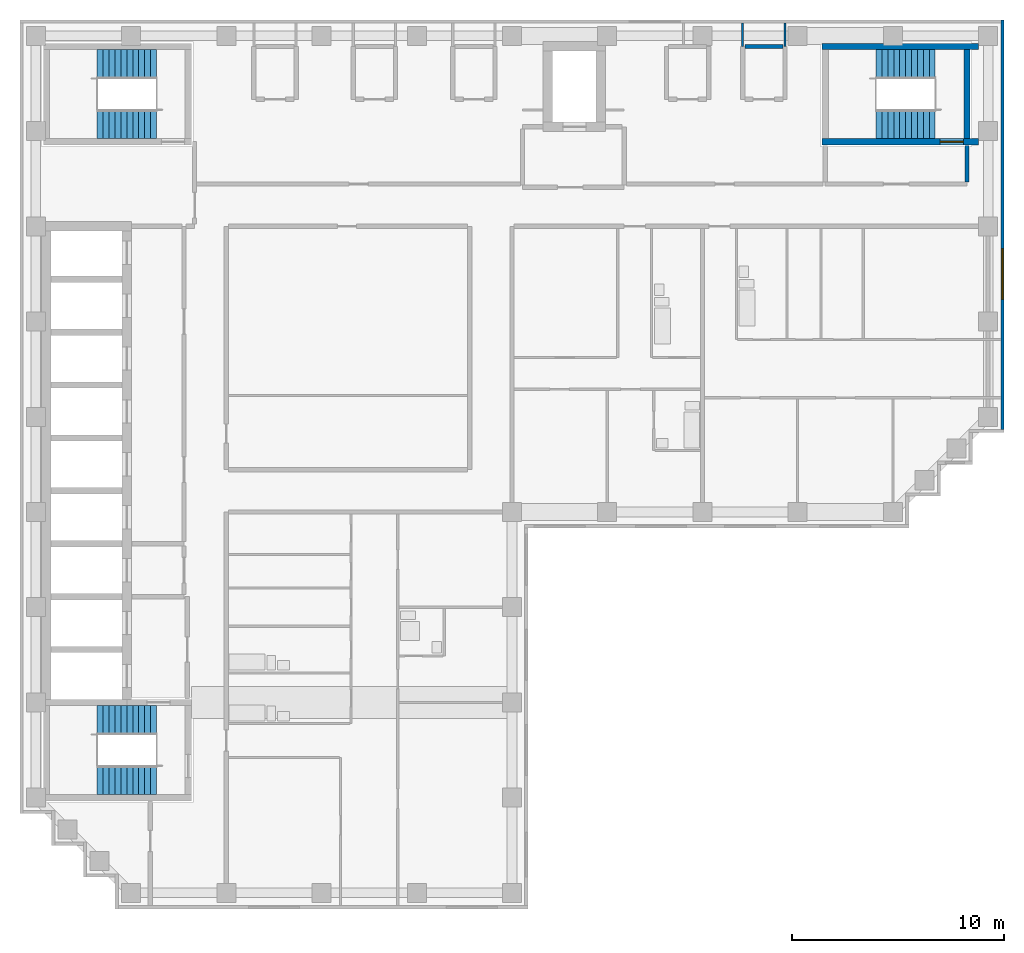
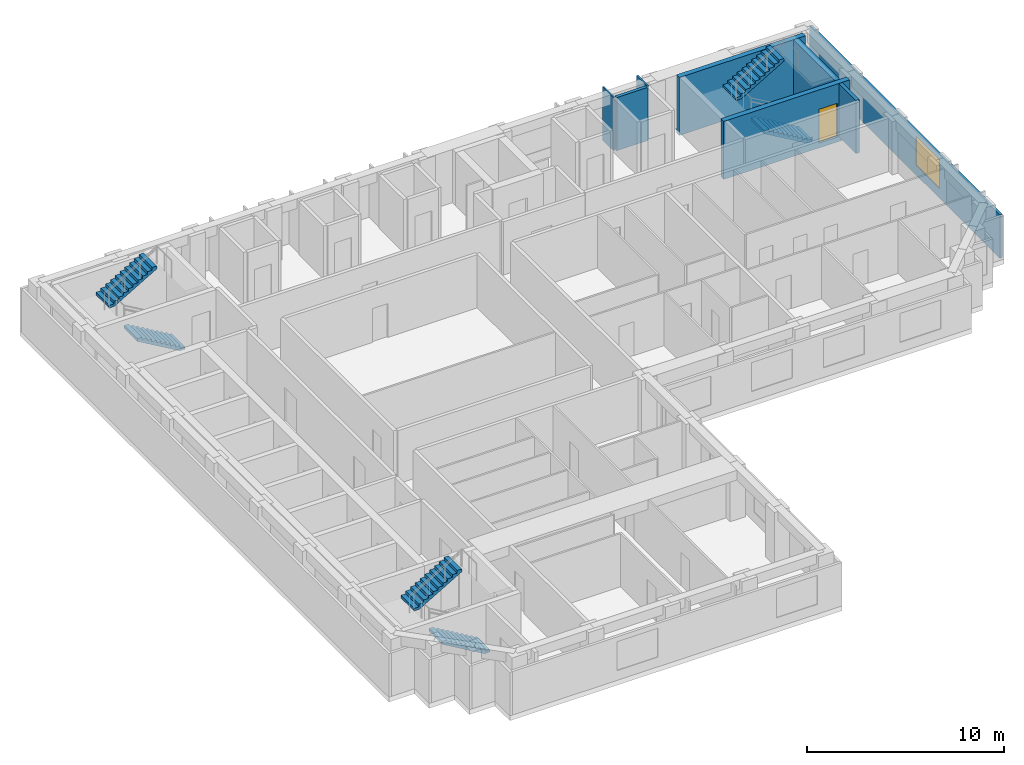
# One storey, part 6 of 8: 8 walls, 6 stair flights, 1 door, 1 window, 2 openings, 3 elements without a shape of their own.
"""IFC4 building model written with IfcOpenShell, lengths in metres."""

from ifc_helpers import new_model, si_unit, direction, frame, frame_2d, origin, place, context, subcontext, project, spatial, polyline, rectangle, outline, extrude, material, layer, layer_set, type_object, element, fill, aggregate, save


model = new_model("IFC4")

# Units and contexts
model_context = context("Model", 3, precision=1e-05, world=origin(), true_north=direction((0.0, 1.0)))
body_context = subcontext(model_context, "Body", "Model", "MODEL_VIEW")
ifc_project = project(units=[si_unit("LENGTHUNIT", "METRE"), si_unit("AREAUNIT", "SQUARE_METRE"), si_unit("VOLUMEUNIT", "CUBIC_METRE"), si_unit("PLANEANGLEUNIT", "RADIAN"), si_unit("MASSUNIT", "GRAM", prefix="KILO")], contexts=[model_context])

# Site, building, storey
site_placement = place(None, origin())
site = spatial("IfcSite", under=ifc_project, at=site_placement, CompositionType="ELEMENT")
building_placement = place(site_placement, origin())
building = spatial("IfcBuilding", under=site, at=building_placement, Name="Firuza Court", CompositionType="ELEMENT")
storey_placement = place(building_placement, frame((0.0, 0.0, 236.60009765625)))
storey = spatial("IfcBuildingStorey", under=building, at=storey_placement, Name="L61", CompositionType="ELEMENT", Elevation=236.60009765625)

# Wall, opening, door
ifc_material_1 = material(Name="Concrete C50/60", Category="concrete")
ifc_layer_1 = layer(ifc_material_1, 0.300048828125)
ifc_layer_set_1 = layer_set([ifc_layer_1], Name="Concrete C50/60")
wall_type_1 = type_object("IfcWallType", Name="Core wall 300 C50/60", PredefinedType="SHEAR", material=ifc_layer_set_1)
wall_1_placement = place(storey_placement, frame((37.14990234375, 53.5, -0.300048828125), z_axis=(0.0, 0.0, 1.0), x_axis=(1.0, 0.0, 0.0)))
wall_1 = element("IfcWall", 1, at=wall_1_placement, inside=storey, type_object=wall_type_1, Name="Core wall stair L61", PredefinedType="SHEAR", context=body_context, shape_type="SweptSolid", body=[
    extrude(rectangle(XDim=7.400146484375, YDim=0.300048828125, at=frame_2d((3.7001953125, 0.0))), origin(), (0.0, 0.0, 1.0), 3.599853515625),
])
opening_1_placement = place(wall_1_placement, frame((5.580078125, 0.0, 0.300048828125)))
opening_1 = element("IfcOpeningElement", 2, at=opening_1_placement, cuts=wall_1, Name="Opening D61008", PredefinedType="OPENING", context=body_context, shape_type="SweptSolid", body=[
    extrude(rectangle(XDim=1.10009765625, YDim=2.10009765625, at=frame_2d((0.550048828125, 1.050048828125))), frame((0.0, 0.162109375, 0.0), z_axis=(0.0, -1.0, 0.0), x_axis=(1.0, 0.0, 0.0)), (0.0, 0.0, 1.0), 0.323974609375),
])
ifc_material_2 = material(Name="Timber door leaf in hardwood frame", Category="wood")
door_type = type_object("IfcDoorType", Name="Stair door 1100", OperationType="SINGLE_SWING_LEFT", PredefinedType="DOOR", material=ifc_material_2)
door_placement = place(opening_1_placement, origin())
door = element("IfcDoor", 3, at=door_placement, inside=storey, type_object=door_type, Name="Stair door S1", OperationType="SINGLE_SWING_RIGHT", OverallHeight=2.10009765625, OverallWidth=1.10009765625, PredefinedType="DOOR", context=body_context, shape_type="SweptSolid", body=[
    extrude(rectangle(XDim=1.10009765625, YDim=2.10009765625, at=frame_2d((0.550048828125, 1.050048828125))), frame((0.0, 0.02490234375, 0.0), z_axis=(0.0, -1.0, 0.0), x_axis=(1.0, 0.0, 0.0)), (0.0, 0.0, 1.0), 0.050048828125),
])
fill(opening_1, door)

# Walls
wall_2_placement = place(storey_placement, frame((37.14990234375, 58.0, -0.300048828125), z_axis=(0.0, 0.0, 1.0), x_axis=(1.0, 0.0, 0.0)))
element("IfcWall", 4, at=wall_2_placement, inside=storey, type_object=wall_type_1, Name="Core wall stair L61", PredefinedType="SHEAR", context=body_context, shape_type="SweptSolid", body=[
    extrude(rectangle(XDim=7.400146484375, YDim=0.300048828125, at=frame_2d((3.7001953125, 0.0))), origin(), (0.0, 0.0, 1.0), 3.599853515625),
])
wall_3_placement = place(storey_placement, frame((44.0, 53.64990234375, -0.300048828125), z_axis=(0.0, 0.0, 1.0), x_axis=(0.0, 1.0, 0.0)))
element("IfcWall", 5, at=wall_3_placement, inside=storey, type_object=wall_type_1, Name="Core wall stair L61", PredefinedType="SHEAR", context=body_context, shape_type="SweptSolid", body=[
    extrude(rectangle(XDim=4.2001953125, YDim=0.300048828125, at=frame_2d((2.10009765625, 0.0))), origin(), (0.0, 0.0, 1.0), 3.599853515625),
])
ifc_material_3 = material(Name="Timber stud partition, plasterboard both sides", Category="wood")
ifc_layer_2 = layer(ifc_material_3, 0.10009765625)
ifc_layer_set_2 = layer_set([ifc_layer_2], Name="Timber stud partition, plasterboard both sides")
wall_type_2 = type_object("IfcWallType", Name="Partition wall 100", PredefinedType="PARTITIONING", material=ifc_layer_set_2)
for number, where, z_axis, x_axis, name in (
    (6, (33.39990234375, 58.0, 0.0), (0.0, 0.0, 1.0), (0.0, 1.0, 0.0), "Partition wall 100 L61"),
    (7, (35.39990234375, 58.0, 0.0), (0.0, 0.0, 1.0), (0.0, 1.0, 0.0), "Partition wall 100 L61"),
):
    element("IfcWall", number, at=place(storey_placement, frame(where, z_axis=z_axis, x_axis=x_axis)), inside=storey, type_object=wall_type_2, Name=name, PredefinedType="PARTITIONING", context=body_context, shape_type="SweptSolid", body=[
        extrude(rectangle(XDim=1.10009765625, YDim=0.10009765625, at=frame_2d((0.550048828125, 0.0))), origin(), (0.0, 0.0, 1.0), 3.2998046875),
    ])
ifc_material_4 = material(Name="Blockwork, fire-rated", Category="masonry")
ifc_layer_3 = layer(ifc_material_4, 0.199951171875)
ifc_layer_set_3 = layer_set([ifc_layer_3], Name="Blockwork, fire-rated")
wall_type_3 = type_object("IfcWallType", Name="Plant room wall 200", PredefinedType="PARTITIONING", material=ifc_layer_set_3)
wall_4_placement = place(storey_placement, frame((33.5, 58.0, 0.0), z_axis=(0.0, 0.0, 1.0), x_axis=(1.0, 0.0, 0.0)))
element("IfcWall", 8, at=wall_4_placement, inside=storey, type_object=wall_type_3, Name="Plant room wall 200 L61", PredefinedType="PARTITIONING", context=body_context, shape_type="SweptSolid", body=[
    extrude(rectangle(XDim=1.800048828125, YDim=0.199951171875, at=frame_2d((0.89990234375, 0.0))), origin(), (0.0, 0.0, 1.0), 3.2998046875),
])

# Wall, opening, window
ifc_material_5 = material(Name="Ceramic tile", Category="ceramic")
ifc_layer_4 = layer(ifc_material_5, 0.02001953125)
ifc_material_6 = material(Name="Mineral wool insulation", Category="insulation")
ifc_layer_5 = layer(ifc_material_6, 0.050048828125)
ifc_material_7 = material(Name="Concrete C40/50 precast", Category="concrete")
ifc_layer_6 = layer(ifc_material_7, 0.080078125)
ifc_layer_set_4 = layer_set([ifc_layer_4, ifc_layer_5, ifc_layer_6], Name="Concrete C40/50 precast")
wall_type_4 = type_object("IfcWallType", Name="Precast cladding wall with turquoise TILE PANEL face 150", PredefinedType="STANDARD", material=ifc_layer_set_4)
wall_5_placement = place(storey_placement, frame((45.675048828125, 39.89990234375, 0.0), z_axis=(0.0, 0.0, 1.0), x_axis=(0.0, 1.0, 0.0)))
wall_5 = element("IfcWall", 9, at=wall_5_placement, inside=storey, type_object=wall_type_4, Name="Facade wall L61 E", PredefinedType="STANDARD", context=body_context, shape_type="SweptSolid", body=[
    extrude(rectangle(XDim=19.35009765625, YDim=0.14990234375, at=frame_2d((9.675048828125, 0.0))), origin(), (0.0, 0.0, 1.0), 2.699951171875),
])
opening_2_placement = place(wall_5_placement, frame((6.14990234375, 0.0, 0.60009765625)))
opening_2 = element("IfcOpeningElement", 10, at=opening_2_placement, cuts=wall_5, Name="Opening W1", PredefinedType="OPENING", context=body_context, shape_type="SweptSolid", body=[
    extrude(rectangle(XDim=2.39990234375, YDim=1.800048828125, at=frame_2d((1.199951171875, 0.89990234375))), frame((0.0, 0.0869140625, 0.0), z_axis=(0.0, -1.0, 0.0), x_axis=(1.0, 0.0, 0.0)), (0.0, 0.0, 1.0), 0.173828125),
])
ifc_material_8 = material(Name="Aluminium frame, triple clear glazing", Category="aluminium")
window_type = type_object("IfcWindowType", Name="Window W1 2400 x 1800", PartitioningType="SINGLE_PANEL", PredefinedType="WINDOW", material=ifc_material_8)
window_placement = place(opening_2_placement, origin())
window = element("IfcWindow", 11, at=window_placement, inside=storey, type_object=window_type, Name="Window L61", OverallHeight=1.800048828125, OverallWidth=2.39990234375, PartitioningType="SINGLE_PANEL", PredefinedType="WINDOW", context=body_context, shape_type="SweptSolid", body=[
    extrude(rectangle(XDim=2.39990234375, YDim=1.800048828125, at=frame_2d((1.199951171875, 0.89990234375))), frame((0.0, 0.030029296875, 0.0), z_axis=(0.0, -1.0, 0.0), x_axis=(1.0, 0.0, 0.0)), (0.0, 0.0, 1.0), 0.06005859375),
])
fill(opening_2, window)

# Wall
ifc_layer_7 = layer(ifc_material_4, 0.199951171875)
ifc_layer_set_5 = layer_set([ifc_layer_7], Name="Blockwork, fire-rated")
wall_type_5 = type_object("IfcWallType", Name="Shaft wall 200", PredefinedType="PARTITIONING", material=ifc_layer_set_5)
wall_6_placement = place(storey_placement, frame((44.0, 51.60009765625, 0.0), z_axis=(0.0, 0.0, 1.0), x_axis=(0.0, 1.0, 0.0)))
element("IfcWall", 12, at=wall_6_placement, inside=storey, type_object=wall_type_5, Name="Shaft wall 200 L61", PredefinedType="PARTITIONING", context=body_context, shape_type="SweptSolid", body=[
    extrude(rectangle(XDim=1.72998046875, YDim=0.199951171875, at=frame_2d((0.864990234375, 0.0))), origin(), (0.0, 0.0, 1.0), 3.2998046875),
])

# Stair, stair flights
ifc_material_9 = material(Name="Concrete C40/50 precast", Category="concrete")
stair_type = type_object("IfcStairType", Name="Stair 1350 x 3600 2 flights", PredefinedType="HALF_TURN_STAIR", material=ifc_material_9)
stair_1_placement = place(storey_placement, origin())
stair_1 = element("IfcStair", 13, at=stair_1_placement, inside=storey, type_object=stair_type, Name="Stair 1 L61", PredefinedType="HALF_TURN_STAIR")
ifc_material_10 = material(Name="Concrete C40/50 precast", Category="concrete")
stair_flight_type = type_object("IfcStairFlightType", Name="Flight 1350 riser 163.6", PredefinedType="STRAIGHT", material=ifc_material_10)
stair_flight_1_placement = place(storey_placement, frame((42.5, 54.324951171875, 0.0), z_axis=(0.0, 0.0, 1.0), x_axis=(-1.0, 0.0, 0.0)))
stair_flight_1 = element("IfcStairFlight", 14, at=stair_flight_1_placement, type_object=stair_flight_type, Name="S1 flight 1", NumberOfRisers=11, NumberOfTreads=10, PredefinedType="STRAIGHT", RiserHeight=0.163636364, TreadLength=0.28, context=body_context, shape_type="SweptSolid", body=[
    extrude(outline(polyline([(0.0, 0.0), (0.0, 0.16357421875), (0.280029296875, 0.16357421875), (0.280029296875, 0.327392578125), (0.56005859375, 0.327392578125), (0.56005859375, 0.490966796875), (0.840087890625, 0.490966796875), (0.840087890625, 0.654541015625), (1.1201171875, 0.654541015625), (1.1201171875, 0.818115234375), (1.39990234375, 0.818115234375), (1.39990234375, 0.98193359375), (1.679931640625, 0.98193359375), (1.679931640625, 1.1455078125), (1.9599609375, 1.1455078125), (1.9599609375, 1.30908203125), (2.239990234375, 1.30908203125), (2.239990234375, 1.47265625), (2.52001953125, 1.47265625), (2.52001953125, 1.636474609375), (2.800048828125, 1.636474609375), (2.800048828125, 1.800048828125), (2.800048828125, 1.462646484375), (0.297119140625, 0.0), (0.0, 0.0)])), frame((0.0, 0.675048828125, 0.0), z_axis=(0.0, -1.0, 0.0), x_axis=(1.0, 0.0, 0.0)), (0.0, 0.0, 1.0), 1.35009765625),
])
stair_flight_2_placement = place(storey_placement, frame((39.699951171875, 57.175048828125, 1.7998046875), z_axis=(0.0, 0.0, 1.0), x_axis=(1.0, 0.0, 0.0)))
stair_flight_2 = element("IfcStairFlight", 15, at=stair_flight_2_placement, type_object=stair_flight_type, Name="S1 flight 2", NumberOfRisers=11, NumberOfTreads=10, PredefinedType="STRAIGHT", RiserHeight=0.163636364, TreadLength=0.28, context=body_context, shape_type="SweptSolid", body=[
    extrude(outline(polyline([(0.0, 0.0), (0.0, 0.16357421875), (0.280029296875, 0.16357421875), (0.280029296875, 0.327392578125), (0.56005859375, 0.327392578125), (0.56005859375, 0.490966796875), (0.840087890625, 0.490966796875), (0.840087890625, 0.654541015625), (1.1201171875, 0.654541015625), (1.1201171875, 0.818115234375), (1.39990234375, 0.818115234375), (1.39990234375, 0.98193359375), (1.679931640625, 0.98193359375), (1.679931640625, 1.1455078125), (1.9599609375, 1.1455078125), (1.9599609375, 1.30908203125), (2.239990234375, 1.30908203125), (2.239990234375, 1.47265625), (2.52001953125, 1.47265625), (2.52001953125, 1.636474609375), (2.800048828125, 1.636474609375), (2.800048828125, 1.800048828125), (2.800048828125, 1.462646484375), (0.297119140625, 0.0), (0.0, 0.0)])), frame((0.0, 0.675048828125, 0.0), z_axis=(0.0, -1.0, 0.0), x_axis=(1.0, 0.0, 0.0)), (0.0, 0.0, 1.0), 1.35009765625),
])
aggregate(stair_1, [stair_flight_1, stair_flight_2])

stair_2_placement = place(storey_placement, origin())
stair_2 = element("IfcStair", 16, at=stair_2_placement, inside=storey, type_object=stair_type, Name="Stair 2 L61", PredefinedType="HALF_TURN_STAIR")
stair_flight_3_placement = place(storey_placement, frame((5.699951171875, 23.324951171875, 0.0), z_axis=(0.0, 0.0, 1.0), x_axis=(-1.0, 0.0, 0.0)))
stair_flight_3 = element("IfcStairFlight", 17, at=stair_flight_3_placement, type_object=stair_flight_type, Name="S2 flight 1", NumberOfRisers=11, NumberOfTreads=10, PredefinedType="STRAIGHT", RiserHeight=0.163636364, TreadLength=0.28, context=body_context, shape_type="SweptSolid", body=[
    extrude(outline(polyline([(0.0, 0.0), (0.0, 0.16357421875), (0.280029296875, 0.16357421875), (0.280029296875, 0.327392578125), (0.56005859375, 0.327392578125), (0.56005859375, 0.490966796875), (0.840087890625, 0.490966796875), (0.840087890625, 0.654541015625), (1.1201171875, 0.654541015625), (1.1201171875, 0.818115234375), (1.39990234375, 0.818115234375), (1.39990234375, 0.98193359375), (1.679931640625, 0.98193359375), (1.679931640625, 1.1455078125), (1.9599609375, 1.1455078125), (1.9599609375, 1.30908203125), (2.239990234375, 1.30908203125), (2.239990234375, 1.47265625), (2.52001953125, 1.47265625), (2.52001953125, 1.636474609375), (2.800048828125, 1.636474609375), (2.800048828125, 1.800048828125), (2.800048828125, 1.462646484375), (0.297119140625, 0.0), (0.0, 0.0)])), frame((0.0, 0.675048828125, 0.0), z_axis=(0.0, -1.0, 0.0), x_axis=(1.0, 0.0, 0.0)), (0.0, 0.0, 1.0), 1.35009765625),
])
stair_flight_4_placement = place(storey_placement, frame((2.89990234375, 26.175048828125, 1.7998046875), z_axis=(0.0, 0.0, 1.0), x_axis=(1.0, 0.0, 0.0)))
stair_flight_4 = element("IfcStairFlight", 18, at=stair_flight_4_placement, type_object=stair_flight_type, Name="S2 flight 2", NumberOfRisers=11, NumberOfTreads=10, PredefinedType="STRAIGHT", RiserHeight=0.163636364, TreadLength=0.28, context=body_context, shape_type="SweptSolid", body=[
    extrude(outline(polyline([(0.0, 0.0), (0.0, 0.16357421875), (0.280029296875, 0.16357421875), (0.280029296875, 0.327392578125), (0.56005859375, 0.327392578125), (0.56005859375, 0.490966796875), (0.840087890625, 0.490966796875), (0.840087890625, 0.654541015625), (1.1201171875, 0.654541015625), (1.1201171875, 0.818115234375), (1.39990234375, 0.818115234375), (1.39990234375, 0.98193359375), (1.679931640625, 0.98193359375), (1.679931640625, 1.1455078125), (1.9599609375, 1.1455078125), (1.9599609375, 1.30908203125), (2.239990234375, 1.30908203125), (2.239990234375, 1.47265625), (2.52001953125, 1.47265625), (2.52001953125, 1.636474609375), (2.800048828125, 1.636474609375), (2.800048828125, 1.800048828125), (2.800048828125, 1.462646484375), (0.297119140625, 0.0), (0.0, 0.0)])), frame((0.0, 0.675048828125, 0.0), z_axis=(0.0, -1.0, 0.0), x_axis=(1.0, 0.0, 0.0)), (0.0, 0.0, 1.0), 1.35009765625),
])
aggregate(stair_2, [stair_flight_3, stair_flight_4])

stair_3_placement = place(storey_placement, origin())
stair_3 = element("IfcStair", 19, at=stair_3_placement, inside=storey, type_object=stair_type, Name="Stair 3 L61", PredefinedType="HALF_TURN_STAIR")
stair_flight_5_placement = place(storey_placement, frame((5.699951171875, 54.324951171875, 0.0), z_axis=(0.0, 0.0, 1.0), x_axis=(-1.0, 0.0, 0.0)))
stair_flight_5 = element("IfcStairFlight", 20, at=stair_flight_5_placement, type_object=stair_flight_type, Name="S3 flight 1", NumberOfRisers=11, NumberOfTreads=10, PredefinedType="STRAIGHT", RiserHeight=0.163636364, TreadLength=0.28, context=body_context, shape_type="SweptSolid", body=[
    extrude(outline(polyline([(0.0, 0.0), (0.0, 0.16357421875), (0.280029296875, 0.16357421875), (0.280029296875, 0.327392578125), (0.56005859375, 0.327392578125), (0.56005859375, 0.490966796875), (0.840087890625, 0.490966796875), (0.840087890625, 0.654541015625), (1.1201171875, 0.654541015625), (1.1201171875, 0.818115234375), (1.39990234375, 0.818115234375), (1.39990234375, 0.98193359375), (1.679931640625, 0.98193359375), (1.679931640625, 1.1455078125), (1.9599609375, 1.1455078125), (1.9599609375, 1.30908203125), (2.239990234375, 1.30908203125), (2.239990234375, 1.47265625), (2.52001953125, 1.47265625), (2.52001953125, 1.636474609375), (2.800048828125, 1.636474609375), (2.800048828125, 1.800048828125), (2.800048828125, 1.462646484375), (0.297119140625, 0.0), (0.0, 0.0)])), frame((0.0, 0.675048828125, 0.0), z_axis=(0.0, -1.0, 0.0), x_axis=(1.0, 0.0, 0.0)), (0.0, 0.0, 1.0), 1.35009765625),
])
stair_flight_6_placement = place(storey_placement, frame((2.89990234375, 57.175048828125, 1.7998046875), z_axis=(0.0, 0.0, 1.0), x_axis=(1.0, 0.0, 0.0)))
stair_flight_6 = element("IfcStairFlight", 21, at=stair_flight_6_placement, type_object=stair_flight_type, Name="S3 flight 2", NumberOfRisers=11, NumberOfTreads=10, PredefinedType="STRAIGHT", RiserHeight=0.163636364, TreadLength=0.28, context=body_context, shape_type="SweptSolid", body=[
    extrude(outline(polyline([(0.0, 0.0), (0.0, 0.16357421875), (0.280029296875, 0.16357421875), (0.280029296875, 0.327392578125), (0.56005859375, 0.327392578125), (0.56005859375, 0.490966796875), (0.840087890625, 0.490966796875), (0.840087890625, 0.654541015625), (1.1201171875, 0.654541015625), (1.1201171875, 0.818115234375), (1.39990234375, 0.818115234375), (1.39990234375, 0.98193359375), (1.679931640625, 0.98193359375), (1.679931640625, 1.1455078125), (1.9599609375, 1.1455078125), (1.9599609375, 1.30908203125), (2.239990234375, 1.30908203125), (2.239990234375, 1.47265625), (2.52001953125, 1.47265625), (2.52001953125, 1.636474609375), (2.800048828125, 1.636474609375), (2.800048828125, 1.800048828125), (2.800048828125, 1.462646484375), (0.297119140625, 0.0), (0.0, 0.0)])), frame((0.0, 0.675048828125, 0.0), z_axis=(0.0, -1.0, 0.0), x_axis=(1.0, 0.0, 0.0)), (0.0, 0.0, 1.0), 1.35009765625),
])
aggregate(stair_3, [stair_flight_5, stair_flight_6])

save(model, "model.ifc")
